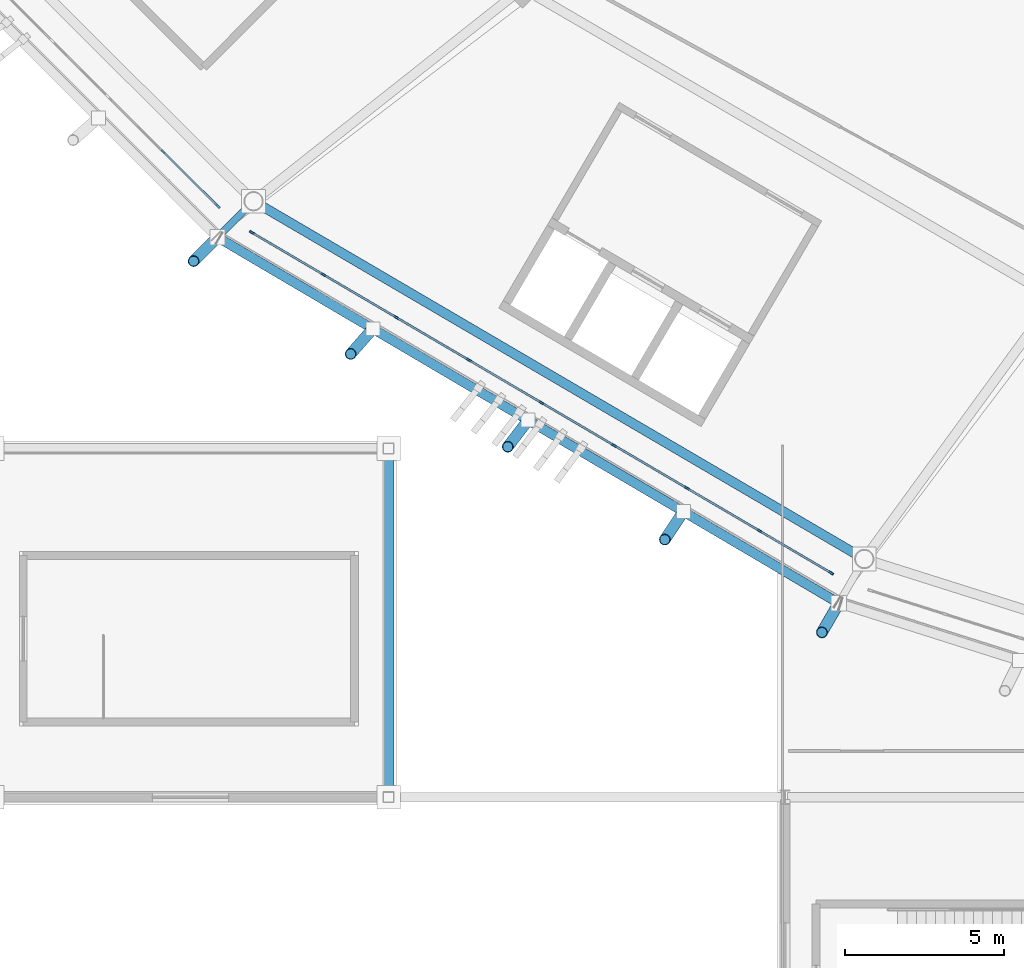
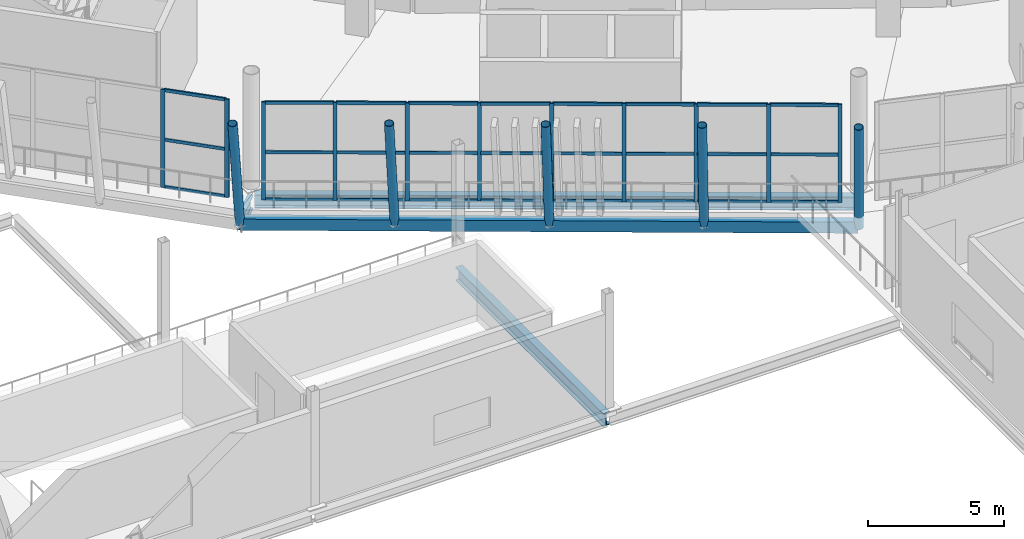
# One storey, part 25 of 178: 43 members, 4 beams, 2 elements without a shape of their own.
"""IFC4 building model written with IfcOpenShell, lengths in metres."""

from ifc_helpers import new_model, si_unit, direction, frame, origin, origin_2d, place, context, subcontext, project, spatial, rectangle, hollow_rectangle, hollow_circle, i_section, extrude, material, material_profile, profile_set, type_object, element, aggregate, save


model = new_model("IFC4")

# Units and contexts
model_context = context("Model", 3, precision=1e-05, world=origin(), true_north=direction((0.0, 1.0)))
body_context = subcontext(model_context, "Body", "Model", "MODEL_VIEW")
ifc_project = project(units=[si_unit("LENGTHUNIT", "METRE"), si_unit("AREAUNIT", "SQUARE_METRE"), si_unit("VOLUMEUNIT", "CUBIC_METRE"), si_unit("PLANEANGLEUNIT", "RADIAN"), si_unit("MASSUNIT", "GRAM", prefix="KILO")], contexts=[model_context])

# Site, building, storey
site_placement = place(None, origin())
site = spatial("IfcSite", under=ifc_project, at=site_placement, CompositionType="ELEMENT")
building_placement = place(site_placement, origin())
building = spatial("IfcBuilding", under=site, at=building_placement, Name="Zlatoyarsky Gate Stadium", CompositionType="ELEMENT")
storey_placement = place(building_placement, frame((0.0, 0.0, 5.39990234375)))
storey = spatial("IfcBuildingStorey", under=building, at=storey_placement, Name="L01", CompositionType="ELEMENT", Elevation=5.39990234375)

# Curtain wall, members
ifc_material_1 = material(Name="Thermally broken anodised aluminium curtain wall", Category="aluminium")
curtain_wall_type = type_object("IfcCurtainWallType", Name="UNITISED HOSPITALITY GLAZING L01", PredefinedType="USERDEFINED", material=ifc_material_1)
curtain_wall_1_placement = place(storey_placement, origin())
curtain_wall_1 = element("IfcCurtainWall", 1, at=curtain_wall_1_placement, inside=storey, type_object=curtain_wall_type, Name="Curtain wall CW-L01-14", ObjectType="UNITISED GLAZING", PredefinedType="USERDEFINED")
ifc_material_2 = material(Name="Anodised aluminium 6063-T6", Category="aluminium")
ifc_material_profile_1 = material_profile(ifc_material_2, rectangle(XDim=0.06494140625, YDim=0.159912109375, at=origin_2d()), Name="ALU 65X160")
ifc_profile_set_1 = profile_set([ifc_material_profile_1], Name="Anodised aluminium 6063-T6")
member_type_1 = type_object("IfcMemberType", Name="ALUMINIUM MULLION 65X160", PredefinedType="MULLION", material=ifc_profile_set_1)
member_1_placement = place(storey_placement, frame((42.38623046875, 31.35888671875, 0.0), z_axis=(0.0, 0.0, 1.0), x_axis=(0.706373470498, 0.707839332176, 0.0)))
member_1 = element("IfcMember", 2, at=member_1_placement, type_object=member_type_1, Name="CW-UG1 mullion 8", PredefinedType="MULLION", context=body_context, shape_type="SweptSolid", body=[
    extrude(rectangle(XDim=0.06494140625, YDim=0.159912109375, at=origin_2d()), origin(), (0.0, 0.0, 1.0), 4.400146484375),
])
member_2_placement = place(storey_placement, frame((44.113525390625, 29.635009765625, 0.0), z_axis=(0.0, 0.0, 1.0), x_axis=(0.706373470498, 0.707839332176, 0.0)))
member_2 = element("IfcMember", 3, at=member_2_placement, type_object=member_type_1, Name="CW-UG1 mullion 9", PredefinedType="MULLION", context=body_context, shape_type="SweptSolid", body=[
    extrude(rectangle(XDim=0.06494140625, YDim=0.159912109375, at=origin_2d()), origin(), (0.0, 0.0, 1.0), 4.400146484375),
])

curtain_wall_2_placement = place(storey_placement, origin())
curtain_wall_2 = element("IfcCurtainWall", 4, at=curtain_wall_2_placement, inside=storey, type_object=curtain_wall_type, Name="Curtain wall CW-L01-15", ObjectType="UNITISED GLAZING", PredefinedType="USERDEFINED")
member_3_placement = place(storey_placement, frame((45.18505859375, 28.80712890625, 0.0), z_axis=(0.0, 0.0, 1.0), x_axis=(0.506590401335, 0.862186850558, 0.0)))
member_3 = element("IfcMember", 5, at=member_3_placement, type_object=member_type_1, Name="CW-UG1 mullion 1", PredefinedType="MULLION", context=body_context, shape_type="SweptSolid", body=[
    extrude(rectangle(XDim=0.06494140625, YDim=0.159912109375, at=origin_2d()), origin(), (0.0, 0.0, 1.0), 4.400146484375),
])
member_4_placement = place(storey_placement, frame((47.4482421875, 27.4775390625, 0.0), z_axis=(0.0, 0.0, 1.0), x_axis=(0.506590401335, 0.862186850558, 0.0)))
member_4 = element("IfcMember", 6, at=member_4_placement, type_object=member_type_1, Name="CW-UG1 mullion 2", PredefinedType="MULLION", context=body_context, shape_type="SweptSolid", body=[
    extrude(rectangle(XDim=0.06494140625, YDim=0.159912109375, at=origin_2d()), origin(), (0.0, 0.0, 1.0), 4.400146484375),
])
member_5_placement = place(storey_placement, frame((49.7392578125, 26.13134765625, 0.0), z_axis=(0.0, 0.0, 1.0), x_axis=(0.506590401335, 0.862186850558, 0.0)))
member_5 = element("IfcMember", 7, at=member_5_placement, type_object=member_type_1, Name="CW-UG1 mullion 3", PredefinedType="MULLION", context=body_context, shape_type="SweptSolid", body=[
    extrude(rectangle(XDim=0.06494140625, YDim=0.159912109375, at=origin_2d()), origin(), (0.0, 0.0, 1.0), 4.400146484375),
])
member_6_placement = place(storey_placement, frame((52.0302734375, 24.785400390625, 0.0), z_axis=(0.0, 0.0, 1.0), x_axis=(0.506590401335, 0.862186850558, 0.0)))
member_6 = element("IfcMember", 8, at=member_6_placement, type_object=member_type_1, Name="CW-UG1 mullion 4", PredefinedType="MULLION", context=body_context, shape_type="SweptSolid", body=[
    extrude(rectangle(XDim=0.06494140625, YDim=0.159912109375, at=origin_2d()), origin(), (0.0, 0.0, 1.0), 4.400146484375),
])
member_7_placement = place(storey_placement, frame((54.3212890625, 23.439208984375, 0.0), z_axis=(0.0, 0.0, 1.0), x_axis=(0.506590401335, 0.862186850558, 0.0)))
member_7 = element("IfcMember", 9, at=member_7_placement, type_object=member_type_1, Name="CW-UG1 mullion 5", PredefinedType="MULLION", context=body_context, shape_type="SweptSolid", body=[
    extrude(rectangle(XDim=0.06494140625, YDim=0.159912109375, at=origin_2d()), origin(), (0.0, 0.0, 1.0), 4.400146484375),
])
member_8_placement = place(storey_placement, frame((56.6123046875, 22.093017578125, 0.0), z_axis=(0.0, 0.0, 1.0), x_axis=(0.506590401335, 0.862186850558, 0.0)))
member_8 = element("IfcMember", 10, at=member_8_placement, type_object=member_type_1, Name="CW-UG1 mullion 6", PredefinedType="MULLION", context=body_context, shape_type="SweptSolid", body=[
    extrude(rectangle(XDim=0.06494140625, YDim=0.159912109375, at=origin_2d()), origin(), (0.0, 0.0, 1.0), 4.400146484375),
])
member_9_placement = place(storey_placement, frame((58.9033203125, 20.7470703125, 0.0), z_axis=(0.0, 0.0, 1.0), x_axis=(0.506590401335, 0.862186850558, 0.0)))
member_9 = element("IfcMember", 11, at=member_9_placement, type_object=member_type_1, Name="CW-UG1 mullion 7", PredefinedType="MULLION", context=body_context, shape_type="SweptSolid", body=[
    extrude(rectangle(XDim=0.06494140625, YDim=0.159912109375, at=origin_2d()), origin(), (0.0, 0.0, 1.0), 4.400146484375),
])
member_10_placement = place(storey_placement, frame((61.1943359375, 19.40087890625, 0.0), z_axis=(0.0, 0.0, 1.0), x_axis=(0.506590401335, 0.862186850558, 0.0)))
member_10 = element("IfcMember", 12, at=member_10_placement, type_object=member_type_1, Name="CW-UG1 mullion 8", PredefinedType="MULLION", context=body_context, shape_type="SweptSolid", body=[
    extrude(rectangle(XDim=0.06494140625, YDim=0.159912109375, at=origin_2d()), origin(), (0.0, 0.0, 1.0), 4.400146484375),
])
member_11_placement = place(storey_placement, frame((63.457275390625, 18.071044921875, 0.0), z_axis=(0.0, 0.0, 1.0), x_axis=(0.506590401335, 0.862186850558, 0.0)))
member_11 = element("IfcMember", 13, at=member_11_placement, type_object=member_type_1, Name="CW-UG1 mullion 9", PredefinedType="MULLION", context=body_context, shape_type="SweptSolid", body=[
    extrude(rectangle(XDim=0.06494140625, YDim=0.159912109375, at=origin_2d()), origin(), (0.0, 0.0, 1.0), 4.400146484375),
])

# Member
ifc_material_profile_2 = material_profile(ifc_material_2, rectangle(XDim=0.06494140625, YDim=0.139892578125, at=origin_2d()), Name="ALU 65X140")
ifc_profile_set_2 = profile_set([ifc_material_profile_2], Name="Anodised aluminium 6063-T6")
member_type_2 = type_object("IfcMemberType", Name="ALUMINIUM TRANSOM 65X140", PredefinedType="USERDEFINED", material=ifc_profile_set_2)
member_12_placement = place(storey_placement, frame((42.4091796875, 31.3359375, 0.03271484375), z_axis=(0.707825854859, -0.706386975526, 0.0), x_axis=(0.706386975526, 0.707825854859, 0.0)))
member_12 = element("IfcMember", 14, at=member_12_placement, type_object=member_type_2, Name="CW-UG1 transom 8.1", ObjectType="TRANSOM", PredefinedType="USERDEFINED", context=body_context, shape_type="SweptSolid", body=[
    extrude(rectangle(XDim=0.06494140625, YDim=0.139892578125, at=origin_2d()), origin(), (0.0, 0.0, 1.0), 2.37548828125),
])

member_13_placement = place(storey_placement, frame((42.4091796875, 31.3359375, 2.150146484375), z_axis=(0.707825854859, -0.706386975526, 0.0), x_axis=(0.706386975526, 0.707825854859, 0.0)))
member_13 = element("IfcMember", 15, at=member_13_placement, type_object=member_type_2, Name="CW-UG1 transom 8.2", ObjectType="TRANSOM", PredefinedType="USERDEFINED", context=body_context, shape_type="SweptSolid", body=[
    extrude(rectangle(XDim=0.06494140625, YDim=0.139892578125, at=origin_2d()), origin(), (0.0, 0.0, 1.0), 2.37548828125),
])

member_14_placement = place(storey_placement, frame((42.4091796875, 31.3359375, 4.36767578125), z_axis=(0.707825854859, -0.706386975526, 0.0), x_axis=(0.706386975526, 0.707825854859, 0.0)))
member_14 = element("IfcMember", 16, at=member_14_placement, type_object=member_type_2, Name="CW-UG1 transom 8.3", ObjectType="TRANSOM", PredefinedType="USERDEFINED", context=body_context, shape_type="SweptSolid", body=[
    extrude(rectangle(XDim=0.06494140625, YDim=0.139892578125, at=origin_2d()), origin(), (0.0, 0.0, 1.0), 2.37548828125),
])

aggregate(curtain_wall_1, [member_1, member_2, member_12, member_13, member_14])

member_15_placement = place(storey_placement, frame((45.213134765625, 28.790771484375, 0.03271484375), z_axis=(0.862211146606, -0.506549048631, 0.0), x_axis=(0.506549048631, 0.862211146606, 0.0)))
member_15 = element("IfcMember", 17, at=member_15_placement, type_object=member_type_2, Name="CW-UG1 transom 1.1", ObjectType="TRANSOM", PredefinedType="USERDEFINED", context=body_context, shape_type="SweptSolid", body=[
    extrude(rectangle(XDim=0.06494140625, YDim=0.139892578125, at=origin_2d()), origin(), (0.0, 0.0, 1.0), 2.559814453125),
])

member_16_placement = place(storey_placement, frame((45.213134765625, 28.790771484375, 2.150146484375), z_axis=(0.862211146606, -0.506549048631, 0.0), x_axis=(0.506549048631, 0.862211146606, 0.0)))
member_16 = element("IfcMember", 18, at=member_16_placement, type_object=member_type_2, Name="CW-UG1 transom 1.2", ObjectType="TRANSOM", PredefinedType="USERDEFINED", context=body_context, shape_type="SweptSolid", body=[
    extrude(rectangle(XDim=0.06494140625, YDim=0.139892578125, at=origin_2d()), origin(), (0.0, 0.0, 1.0), 2.559814453125),
])

member_17_placement = place(storey_placement, frame((45.213134765625, 28.790771484375, 4.36767578125), z_axis=(0.862211146606, -0.506549048631, 0.0), x_axis=(0.506549048631, 0.862211146606, 0.0)))
member_17 = element("IfcMember", 19, at=member_17_placement, type_object=member_type_2, Name="CW-UG1 transom 1.3", ObjectType="TRANSOM", PredefinedType="USERDEFINED", context=body_context, shape_type="SweptSolid", body=[
    extrude(rectangle(XDim=0.06494140625, YDim=0.139892578125, at=origin_2d()), origin(), (0.0, 0.0, 1.0), 2.559814453125),
])

member_18_placement = place(storey_placement, frame((47.47607421875, 27.461181640625, 0.03271484375), z_axis=(0.862193150748, -0.506579678632, 0.0), x_axis=(0.506579678632, 0.862193150748, 0.0)))
member_18 = element("IfcMember", 20, at=member_18_placement, type_object=member_type_2, Name="CW-UG1 transom 2.1", ObjectType="TRANSOM", PredefinedType="USERDEFINED", context=body_context, shape_type="SweptSolid", body=[
    extrude(rectangle(XDim=0.06494140625, YDim=0.139892578125, at=origin_2d()), origin(), (0.0, 0.0, 1.0), 2.59228515625),
])

member_19_placement = place(storey_placement, frame((47.47607421875, 27.461181640625, 2.150146484375), z_axis=(0.862193150748, -0.506579678632, 0.0), x_axis=(0.506579678632, 0.862193150748, 0.0)))
member_19 = element("IfcMember", 21, at=member_19_placement, type_object=member_type_2, Name="CW-UG1 transom 2.2", ObjectType="TRANSOM", PredefinedType="USERDEFINED", context=body_context, shape_type="SweptSolid", body=[
    extrude(rectangle(XDim=0.06494140625, YDim=0.139892578125, at=origin_2d()), origin(), (0.0, 0.0, 1.0), 2.59228515625),
])

member_20_placement = place(storey_placement, frame((47.47607421875, 27.461181640625, 4.36767578125), z_axis=(0.862193150748, -0.506579678632, 0.0), x_axis=(0.506579678632, 0.862193150748, 0.0)))
member_20 = element("IfcMember", 22, at=member_20_placement, type_object=member_type_2, Name="CW-UG1 transom 2.3", ObjectType="TRANSOM", PredefinedType="USERDEFINED", context=body_context, shape_type="SweptSolid", body=[
    extrude(rectangle(XDim=0.06494140625, YDim=0.139892578125, at=origin_2d()), origin(), (0.0, 0.0, 1.0), 2.59228515625),
])

member_21_placement = place(storey_placement, frame((49.76708984375, 26.114990234375, 0.03271484375), z_axis=(0.862193150748, -0.506579678632, 0.0), x_axis=(0.506579678632, 0.862193150748, 0.0)))
member_21 = element("IfcMember", 23, at=member_21_placement, type_object=member_type_2, Name="CW-UG1 transom 3.1", ObjectType="TRANSOM", PredefinedType="USERDEFINED", context=body_context, shape_type="SweptSolid", body=[
    extrude(rectangle(XDim=0.06494140625, YDim=0.139892578125, at=origin_2d()), origin(), (0.0, 0.0, 1.0), 2.59228515625),
])

member_22_placement = place(storey_placement, frame((49.76708984375, 26.114990234375, 2.150146484375), z_axis=(0.862193150748, -0.506579678632, 0.0), x_axis=(0.506579678632, 0.862193150748, 0.0)))
member_22 = element("IfcMember", 24, at=member_22_placement, type_object=member_type_2, Name="CW-UG1 transom 3.2", ObjectType="TRANSOM", PredefinedType="USERDEFINED", context=body_context, shape_type="SweptSolid", body=[
    extrude(rectangle(XDim=0.06494140625, YDim=0.139892578125, at=origin_2d()), origin(), (0.0, 0.0, 1.0), 2.59228515625),
])

member_23_placement = place(storey_placement, frame((49.76708984375, 26.114990234375, 4.36767578125), z_axis=(0.862193150748, -0.506579678632, 0.0), x_axis=(0.506579678632, 0.862193150748, 0.0)))
member_23 = element("IfcMember", 25, at=member_23_placement, type_object=member_type_2, Name="CW-UG1 transom 3.3", ObjectType="TRANSOM", PredefinedType="USERDEFINED", context=body_context, shape_type="SweptSolid", body=[
    extrude(rectangle(XDim=0.06494140625, YDim=0.139892578125, at=origin_2d()), origin(), (0.0, 0.0, 1.0), 2.59228515625),
])

member_24_placement = place(storey_placement, frame((52.05810546875, 24.768798828125, 0.03271484375), z_axis=(0.862193150748, -0.506579678632, 0.0), x_axis=(0.506579678632, 0.862193150748, 0.0)))
member_24 = element("IfcMember", 26, at=member_24_placement, type_object=member_type_2, Name="CW-UG1 transom 4.1", ObjectType="TRANSOM", PredefinedType="USERDEFINED", context=body_context, shape_type="SweptSolid", body=[
    extrude(rectangle(XDim=0.06494140625, YDim=0.139892578125, at=origin_2d()), origin(), (0.0, 0.0, 1.0), 2.59228515625),
])

member_25_placement = place(storey_placement, frame((52.05810546875, 24.768798828125, 2.150146484375), z_axis=(0.862193150748, -0.506579678632, 0.0), x_axis=(0.506579678632, 0.862193150748, 0.0)))
member_25 = element("IfcMember", 27, at=member_25_placement, type_object=member_type_2, Name="CW-UG1 transom 4.2", ObjectType="TRANSOM", PredefinedType="USERDEFINED", context=body_context, shape_type="SweptSolid", body=[
    extrude(rectangle(XDim=0.06494140625, YDim=0.139892578125, at=origin_2d()), origin(), (0.0, 0.0, 1.0), 2.59228515625),
])

member_26_placement = place(storey_placement, frame((52.05810546875, 24.768798828125, 4.36767578125), z_axis=(0.862193150748, -0.506579678632, 0.0), x_axis=(0.506579678632, 0.862193150748, 0.0)))
member_26 = element("IfcMember", 28, at=member_26_placement, type_object=member_type_2, Name="CW-UG1 transom 4.3", ObjectType="TRANSOM", PredefinedType="USERDEFINED", context=body_context, shape_type="SweptSolid", body=[
    extrude(rectangle(XDim=0.06494140625, YDim=0.139892578125, at=origin_2d()), origin(), (0.0, 0.0, 1.0), 2.59228515625),
])

member_27_placement = place(storey_placement, frame((54.34912109375, 23.4228515625, 0.03271484375), z_axis=(0.862193150748, -0.506579678632, 0.0), x_axis=(0.506579678632, 0.862193150748, 0.0)))
member_27 = element("IfcMember", 29, at=member_27_placement, type_object=member_type_2, Name="CW-UG1 transom 5.1", ObjectType="TRANSOM", PredefinedType="USERDEFINED", context=body_context, shape_type="SweptSolid", body=[
    extrude(rectangle(XDim=0.06494140625, YDim=0.139892578125, at=origin_2d()), origin(), (0.0, 0.0, 1.0), 2.59228515625),
])

member_28_placement = place(storey_placement, frame((54.34912109375, 23.4228515625, 2.150146484375), z_axis=(0.862193150748, -0.506579678632, 0.0), x_axis=(0.506579678632, 0.862193150748, 0.0)))
member_28 = element("IfcMember", 30, at=member_28_placement, type_object=member_type_2, Name="CW-UG1 transom 5.2", ObjectType="TRANSOM", PredefinedType="USERDEFINED", context=body_context, shape_type="SweptSolid", body=[
    extrude(rectangle(XDim=0.06494140625, YDim=0.139892578125, at=origin_2d()), origin(), (0.0, 0.0, 1.0), 2.59228515625),
])

member_29_placement = place(storey_placement, frame((54.34912109375, 23.4228515625, 4.36767578125), z_axis=(0.862193150748, -0.506579678632, 0.0), x_axis=(0.506579678632, 0.862193150748, 0.0)))
member_29 = element("IfcMember", 31, at=member_29_placement, type_object=member_type_2, Name="CW-UG1 transom 5.3", ObjectType="TRANSOM", PredefinedType="USERDEFINED", context=body_context, shape_type="SweptSolid", body=[
    extrude(rectangle(XDim=0.06494140625, YDim=0.139892578125, at=origin_2d()), origin(), (0.0, 0.0, 1.0), 2.59228515625),
])

member_30_placement = place(storey_placement, frame((56.64013671875, 22.07666015625, 0.03271484375), z_axis=(0.862193150748, -0.506579678632, 0.0), x_axis=(0.506579678632, 0.862193150748, 0.0)))
member_30 = element("IfcMember", 32, at=member_30_placement, type_object=member_type_2, Name="CW-UG1 transom 6.1", ObjectType="TRANSOM", PredefinedType="USERDEFINED", context=body_context, shape_type="SweptSolid", body=[
    extrude(rectangle(XDim=0.06494140625, YDim=0.139892578125, at=origin_2d()), origin(), (0.0, 0.0, 1.0), 2.59228515625),
])

member_31_placement = place(storey_placement, frame((56.64013671875, 22.07666015625, 2.150146484375), z_axis=(0.862193150748, -0.506579678632, 0.0), x_axis=(0.506579678632, 0.862193150748, 0.0)))
member_31 = element("IfcMember", 33, at=member_31_placement, type_object=member_type_2, Name="CW-UG1 transom 6.2", ObjectType="TRANSOM", PredefinedType="USERDEFINED", context=body_context, shape_type="SweptSolid", body=[
    extrude(rectangle(XDim=0.06494140625, YDim=0.139892578125, at=origin_2d()), origin(), (0.0, 0.0, 1.0), 2.59228515625),
])

member_32_placement = place(storey_placement, frame((56.64013671875, 22.07666015625, 4.36767578125), z_axis=(0.862193150748, -0.506579678632, 0.0), x_axis=(0.506579678632, 0.862193150748, 0.0)))
member_32 = element("IfcMember", 34, at=member_32_placement, type_object=member_type_2, Name="CW-UG1 transom 6.3", ObjectType="TRANSOM", PredefinedType="USERDEFINED", context=body_context, shape_type="SweptSolid", body=[
    extrude(rectangle(XDim=0.06494140625, YDim=0.139892578125, at=origin_2d()), origin(), (0.0, 0.0, 1.0), 2.59228515625),
])

member_33_placement = place(storey_placement, frame((58.93115234375, 20.73046875, 0.03271484375), z_axis=(0.862193150748, -0.506579678632, 0.0), x_axis=(0.506579678632, 0.862193150748, 0.0)))
member_33 = element("IfcMember", 35, at=member_33_placement, type_object=member_type_2, Name="CW-UG1 transom 7.1", ObjectType="TRANSOM", PredefinedType="USERDEFINED", context=body_context, shape_type="SweptSolid", body=[
    extrude(rectangle(XDim=0.06494140625, YDim=0.139892578125, at=origin_2d()), origin(), (0.0, 0.0, 1.0), 2.59228515625),
])

member_34_placement = place(storey_placement, frame((58.93115234375, 20.73046875, 2.150146484375), z_axis=(0.862193150748, -0.506579678632, 0.0), x_axis=(0.506579678632, 0.862193150748, 0.0)))
member_34 = element("IfcMember", 36, at=member_34_placement, type_object=member_type_2, Name="CW-UG1 transom 7.2", ObjectType="TRANSOM", PredefinedType="USERDEFINED", context=body_context, shape_type="SweptSolid", body=[
    extrude(rectangle(XDim=0.06494140625, YDim=0.139892578125, at=origin_2d()), origin(), (0.0, 0.0, 1.0), 2.59228515625),
])

member_35_placement = place(storey_placement, frame((58.93115234375, 20.73046875, 4.36767578125), z_axis=(0.862193150748, -0.506579678632, 0.0), x_axis=(0.506579678632, 0.862193150748, 0.0)))
member_35 = element("IfcMember", 37, at=member_35_placement, type_object=member_type_2, Name="CW-UG1 transom 7.3", ObjectType="TRANSOM", PredefinedType="USERDEFINED", context=body_context, shape_type="SweptSolid", body=[
    extrude(rectangle(XDim=0.06494140625, YDim=0.139892578125, at=origin_2d()), origin(), (0.0, 0.0, 1.0), 2.59228515625),
])

member_36_placement = place(storey_placement, frame((61.222412109375, 19.38427734375, 0.03271484375), z_axis=(0.86218667053, -0.506590707732, 0.0), x_axis=(0.506590707732, 0.86218667053, 0.0)))
member_36 = element("IfcMember", 38, at=member_36_placement, type_object=member_type_2, Name="CW-UG1 transom 8.1", ObjectType="TRANSOM", PredefinedType="USERDEFINED", context=body_context, shape_type="SweptSolid", body=[
    extrude(rectangle(XDim=0.06494140625, YDim=0.139892578125, at=origin_2d()), origin(), (0.0, 0.0, 1.0), 2.5595703125),
])

member_37_placement = place(storey_placement, frame((61.222412109375, 19.38427734375, 2.150146484375), z_axis=(0.86218667053, -0.506590707732, 0.0), x_axis=(0.506590707732, 0.86218667053, 0.0)))
member_37 = element("IfcMember", 39, at=member_37_placement, type_object=member_type_2, Name="CW-UG1 transom 8.2", ObjectType="TRANSOM", PredefinedType="USERDEFINED", context=body_context, shape_type="SweptSolid", body=[
    extrude(rectangle(XDim=0.06494140625, YDim=0.139892578125, at=origin_2d()), origin(), (0.0, 0.0, 1.0), 2.5595703125),
])

member_38_placement = place(storey_placement, frame((61.222412109375, 19.38427734375, 4.36767578125), z_axis=(0.86218667053, -0.506590707732, 0.0), x_axis=(0.506590707732, 0.86218667053, 0.0)))
member_38 = element("IfcMember", 40, at=member_38_placement, type_object=member_type_2, Name="CW-UG1 transom 8.3", ObjectType="TRANSOM", PredefinedType="USERDEFINED", context=body_context, shape_type="SweptSolid", body=[
    extrude(rectangle(XDim=0.06494140625, YDim=0.139892578125, at=origin_2d()), origin(), (0.0, 0.0, 1.0), 2.5595703125),
])

aggregate(curtain_wall_2, [member_3, member_4, member_5, member_6, member_7, member_8, member_9, member_10, member_11, member_15, member_16, member_17, member_18, member_19, member_20, member_21, member_22, member_23, member_24, member_25, member_26, member_27, member_28, member_29, member_30, member_31, member_32, member_33, member_34, member_35, member_36, member_37, member_38])

# Beam
ifc_material_3 = material(Name="Steel S355", Category="steel")
ifc_material_profile_3 = material_profile(ifc_material_3, i_section(OverallWidth=0.219970703125, OverallDepth=0.60009765625, WebThickness=0.011962890625, FlangeThickness=0.01904296875, FilletRadius=0.02392578125, at=origin_2d()), Name="IPE 600")
ifc_profile_set_3 = profile_set([ifc_material_profile_3], Name="Steel S355")
beam_type_1 = type_object("IfcBeamType", Name="STEEL CANTILEVER FLOOR BEAM IPE 600", PredefinedType="BEAM", material=ifc_profile_set_3)
beam_1_placement = place(storey_placement, frame((45.154296875, 29.71044921875, -0.599853515625), z_axis=(-0.707106781187, -0.707106781187, 0.0), x_axis=(0.707106781187, -0.707106781187, 0.0)))
element("IfcBeam", 41, at=beam_1_placement, inside=storey, type_object=beam_type_1, Name="Beam B-IPE600 BM-L01-OUT-15", PredefinedType="BEAM", context=body_context, shape_type="SweptSolid", body=[
    extrude(i_section(OverallWidth=0.219970703125, OverallDepth=0.60009765625, WebThickness=0.011962890625, FlangeThickness=0.01904296875, FilletRadius=0.02392578125, at=origin_2d()), origin(), (0.0, 0.0, 1.0), 1.488525390625),
])

# Members
ifc_material_profile_4 = material_profile(ifc_material_3, hollow_circle(Radius=0.177734375, WallThickness=0.02001953125, at=origin_2d()), Name="CHS 355.6X20")
ifc_profile_set_4 = profile_set([ifc_material_profile_4], Name="Steel S355")
member_type_3 = type_object("IfcMemberType", Name="STEEL LEANING RIB RING STRUT CHS 355.6X20", PredefinedType="STRUT", material=ifc_profile_set_4)
for number, where, z_axis, x_axis, name in (
    (42, (44.101806640625, 28.657958984375, -0.599853515625), (-0.141682614506, -0.141636792186, 0.979727031293), (0.706992408883, -0.707221134994, 0.0), "Leaning ring strut 15 L01 to L02"),
    (43, (63.69580078125, 17.119140625, -0.599853515625), (-0.100167839717, -0.173483733379, 0.979729451501), (0.866010359988, -0.500026055714, 0.0), "Leaning ring strut 16 L01 to L02"),
):
    element("IfcMember", number, at=place(storey_placement, frame(where, z_axis=z_axis, x_axis=x_axis)), inside=storey, type_object=member_type_3, Name=name, PredefinedType="STRUT", context=body_context, shape_type="SweptSolid", body=[
        extrude(hollow_circle(Radius=0.177734375, WallThickness=0.02001953125, at=origin_2d()), origin(), (0.0, 0.0, 1.0), 5.327880859375),
    ])
member_39_placement = place(storey_placement, frame((49.000244140625, 25.773193359375, -0.5498046875), z_axis=(-0.131315806964, -0.149603767514, 0.979987179297), x_axis=(0.751548806243, -0.659677490774, 0.0)))
element("IfcMember", 44, at=member_39_placement, inside=storey, type_object=member_type_3, Name="Outward-leaning bowl louvre fin rib L01 15-1", PredefinedType="STRUT", context=body_context, shape_type="SweptSolid", body=[
    extrude(hollow_circle(Radius=0.177734375, WallThickness=0.02001953125, at=origin_2d()), origin(), (0.0, 0.0, 1.0), 5.32666015625),
])
member_40_placement = place(storey_placement, frame((53.898681640625, 22.888671875, -0.5498046875), z_axis=(-0.120966219196, -0.157636539528, 0.980060148776), x_axis=(0.793335236523, -0.608785021572, 0.0)))
element("IfcMember", 45, at=member_40_placement, inside=storey, type_object=member_type_3, Name="Outward-leaning bowl louvre fin rib L01 15-2", PredefinedType="STRUT", context=body_context, shape_type="SweptSolid", body=[
    extrude(hollow_circle(Radius=0.177734375, WallThickness=0.02001953125, at=origin_2d()), origin(), (0.0, 0.0, 1.0), 5.326171875),
])
member_41_placement = place(storey_placement, frame((58.797119140625, 20.00390625, -0.5498046875), z_axis=(-0.110551670231, -0.165598335218, 0.979977305646), x_axis=(0.831695977992, -0.555231303326, 0.0)))
element("IfcMember", 46, at=member_41_placement, inside=storey, type_object=member_type_3, Name="Outward-leaning bowl louvre fin rib L01 15-3", PredefinedType="STRUT", context=body_context, shape_type="SweptSolid", body=[
    extrude(hollow_circle(Radius=0.177734375, WallThickness=0.02001953125, at=origin_2d()), origin(), (0.0, 0.0, 1.0), 5.32666015625),
])

# Beams
ifc_material_profile_5 = material_profile(ifc_material_3, hollow_rectangle(XDim=0.300048828125, YDim=0.5, WallThickness=0.02001953125, at=origin_2d()), Name="RHS 500X300X20")
ifc_profile_set_5 = profile_set([ifc_material_profile_5], Name="Steel S355")
beam_type_2 = type_object("IfcBeamType", Name="STEEL LOUVRE CARRIER SPANDREL RHS 500X300X20", PredefinedType="SPANDREL", material=ifc_profile_set_5)
beam_2_placement = place(storey_placement, frame((44.118896484375, 28.64794921875, -0.5498046875), z_axis=(0.861685270129, -0.50744309557, 0.0), x_axis=(0.50744309557, 0.861685270129, 0.0)))
element("IfcBeam", 47, at=beam_2_placement, inside=storey, type_object=beam_type_2, Name="Beam SP-RHS500 BM-L01-SPD-15", PredefinedType="SPANDREL", context=body_context, shape_type="SweptSolid", body=[
    extrude(hollow_rectangle(XDim=0.300048828125, YDim=0.5, WallThickness=0.02001953125, at=origin_2d()), origin(), (0.0, 0.0, 1.0), 22.69921875),
])
ifc_material_profile_6 = material_profile(ifc_material_3, i_section(OverallWidth=0.300048828125, OverallDepth=0.60009765625, WebThickness=0.015380859375, FlangeThickness=0.030029296875, FilletRadius=0.027099609375, at=origin_2d()), Name="HEB 600")
ifc_profile_set_6 = profile_set([ifc_material_profile_6], Name="Steel S355")
beam_type_3 = type_object("IfcBeamType", Name="STEEL PRIMARY GIRDER HEB 600", PredefinedType="BEAM", material=ifc_profile_set_6)
beam_3_placement = place(storey_placement, frame((45.342529296875, 29.734619140625, -0.599853515625), z_axis=(0.862854775092, -0.505451913738, 0.0), x_axis=(0.505451913738, 0.862854775092, 0.0)))
element("IfcBeam", 48, at=beam_3_placement, inside=storey, type_object=beam_type_3, Name="Beam G-HEB600 BM-L01-CRC-15", PredefinedType="BEAM", context=body_context, shape_type="SweptSolid", body=[
    extrude(i_section(OverallWidth=0.300048828125, OverallDepth=0.60009765625, WebThickness=0.015380859375, FlangeThickness=0.030029296875, FilletRadius=0.027099609375, at=origin_2d()), origin(), (0.0, 0.0, 1.0), 22.08251953125),
])
beam_4_placement = place(storey_placement, frame((49.5, 11.080078125, -0.599853515625), z_axis=(0.0, 1.0, 0.0), x_axis=(-1.0, 0.0, 0.0)))
element("IfcBeam", 49, at=beam_4_placement, inside=storey, type_object=beam_type_3, Name="Beam G-HEB600 BM-L01-WGY-5-B", PredefinedType="BEAM", context=body_context, shape_type="SweptSolid", body=[
    extrude(i_section(OverallWidth=0.300048828125, OverallDepth=0.60009765625, WebThickness=0.015380859375, FlangeThickness=0.030029296875, FilletRadius=0.027099609375, at=origin_2d()), origin(), (0.0, 0.0, 1.0), 10.83984375),
])

save(model, "model.ifc")
